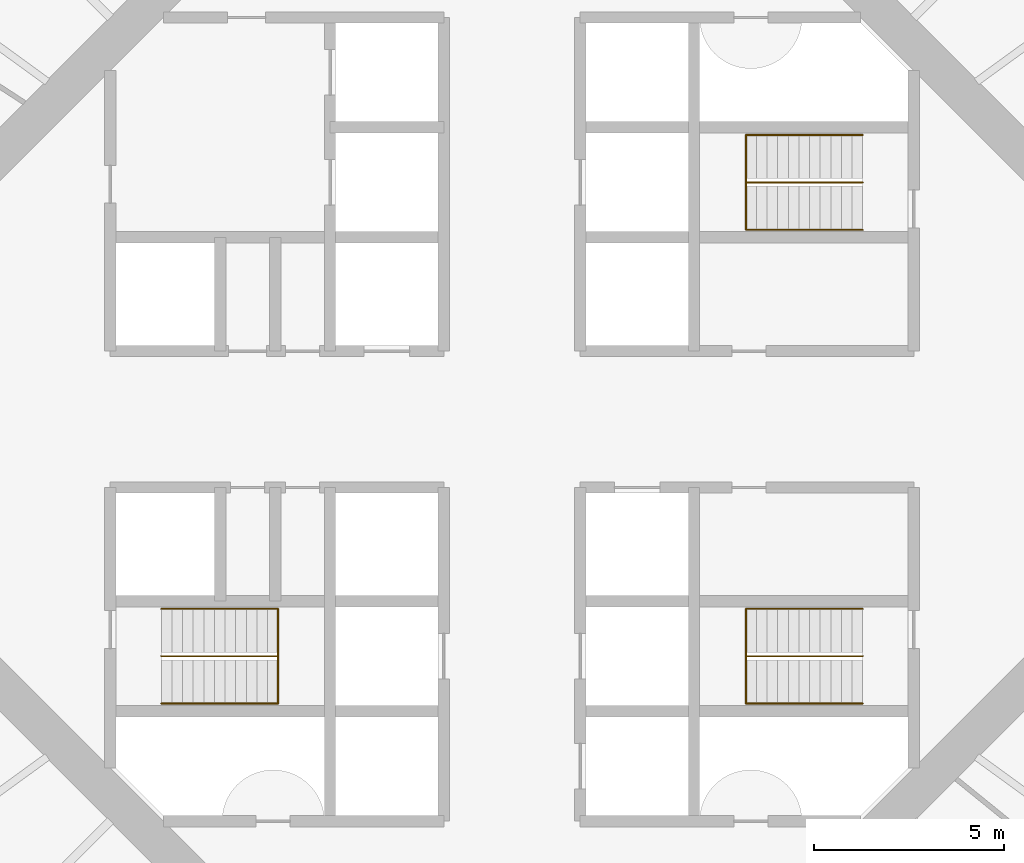
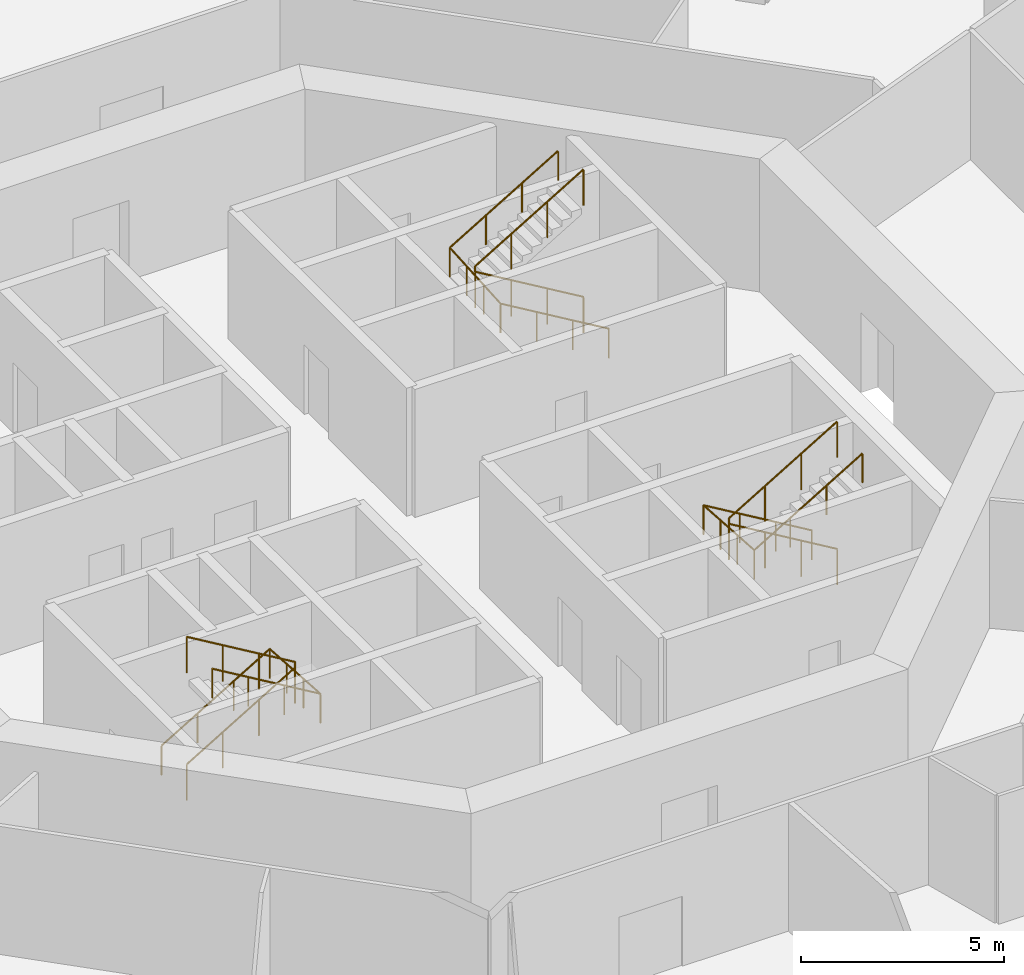
# One storey, part 13 of 13: 6 railings.
"""IFC4 building model written with IfcOpenShell, lengths in metres."""

from ifc_helpers import new_model, si_unit, direction, frame, origin, origin_2d, place, context, subcontext, project, spatial, circle, extrude, material, type_object, element, save


model = new_model("IFC4")

# Units and contexts
model_context = context("Model", 3, precision=1e-05, world=origin(), true_north=direction((0.0, 1.0)))
body_context = subcontext(model_context, "Body", "Model", "MODEL_VIEW")
ifc_project = project(units=[si_unit("LENGTHUNIT", "METRE"), si_unit("AREAUNIT", "SQUARE_METRE"), si_unit("VOLUMEUNIT", "CUBIC_METRE"), si_unit("PLANEANGLEUNIT", "RADIAN"), si_unit("MASSUNIT", "GRAM", prefix="KILO")], contexts=[model_context])

# Site, building, storey
site_placement = place(None, origin())
site = spatial("IfcSite", under=ifc_project, at=site_placement, CompositionType="ELEMENT")
building_placement = place(site_placement, origin())
building = spatial("IfcBuilding", under=site, at=building_placement, Name="Entoto Ring Tower", CompositionType="ELEMENT")
storey_placement = place(building_placement, frame((0.0, 0.0, 184.0)))
storey = spatial("IfcBuildingStorey", under=building, at=storey_placement, Name="L42", CompositionType="ELEMENT", Elevation=184.0)

# Railings
ifc_material_1 = material(Name="Steel S275", Category="steel")
railing_type_1 = type_object("IfcRailingType", Name="Stair guard 1100 mm steel", PredefinedType="GUARDRAIL", material=ifc_material_1)
railing_1_placement = place(storey_placement, frame((99.25, 86.25, 0.166748046875)))
element("IfcRailing", 1, at=railing_1_placement, inside=storey, type_object=railing_type_1, Name="Guard ST1", PredefinedType="GUARDRAIL", context=body_context, shape_type="SweptSolid", body=[
    extrude(circle(Radius=0.02392578125, at=origin_2d()), frame((0.0, 0.0, 1.076171875), z_axis=(-0.859308565015, 0.0, 0.511457515432), x_axis=(0.0, -1.0, 0.0)), (0.0, 0.0, 1.0), 3.58447265625),
    extrude(circle(Radius=0.02392578125, at=origin_2d()), frame((-3.080078125, 0.0, 2.9091796875), z_axis=(0.0, 0.0, 1.0), x_axis=(1.0, 0.0, 0.0)), (0.0, 0.0, 1.0), 0.166748046875),
    extrude(circle(Radius=0.02392578125, at=origin_2d()), frame((-3.080078125, 0.0, 3.076171875), z_axis=(0.859308565015, 0.0, 0.511457515432), x_axis=(0.0, 1.0, 0.0)), (0.0, 0.0, 1.0), 3.58447265625),
    extrude(circle(Radius=0.02099609375, at=origin_2d()), origin(), (0.0, 0.0, 1.0), 1.052001953125),
    extrude(circle(Radius=0.02099609375, at=origin_2d()), frame((-1.026611328125, 0.0, 0.611083984375)), (0.0, 0.0, 1.0), 1.052001953125),
    extrude(circle(Radius=0.02099609375, at=origin_2d()), frame((-2.053466796875, 0.0, 1.22216796875)), (0.0, 0.0, 1.0), 1.052001953125),
    extrude(circle(Radius=0.02099609375, at=origin_2d()), frame((-3.080078125, 0.0, 1.833251953125)), (0.0, 0.0, 1.0), 1.052001953125),
    extrude(circle(Radius=0.02099609375, at=origin_2d()), frame((-3.080078125, 0.0, 2.0)), (0.0, 0.0, 1.0), 1.052001953125),
    extrude(circle(Radius=0.02099609375, at=origin_2d()), frame((-2.053466796875, 0.0, 2.611083984375)), (0.0, 0.0, 1.0), 1.052001953125),
    extrude(circle(Radius=0.02099609375, at=origin_2d()), frame((-1.026611328125, 0.0, 3.22216796875)), (0.0, 0.0, 1.0), 1.052001953125),
    extrude(circle(Radius=0.02099609375, at=origin_2d()), frame((0.0, 0.0, 3.833251953125)), (0.0, 0.0, 1.0), 1.052001953125),
])
railing_2_placement = place(storey_placement, frame((80.75, 73.75, 0.166748046875)))
element("IfcRailing", 2, at=railing_2_placement, inside=storey, type_object=railing_type_1, Name="Guard ST2", PredefinedType="GUARDRAIL", context=body_context, shape_type="SweptSolid", body=[
    extrude(circle(Radius=0.02392578125, at=origin_2d()), frame((0.0, 0.0, 1.076171875), z_axis=(0.859308565015, 0.0, 0.511457515432), x_axis=(0.0, 1.0, 0.0)), (0.0, 0.0, 1.0), 3.58447265625),
    extrude(circle(Radius=0.02392578125, at=origin_2d()), frame((3.080078125, 0.0, 2.9091796875), z_axis=(0.0, 0.0, 1.0), x_axis=(1.0, 0.0, 0.0)), (0.0, 0.0, 1.0), 0.166748046875),
    extrude(circle(Radius=0.02392578125, at=origin_2d()), frame((3.080078125, 0.0, 3.076171875), z_axis=(-0.859308565015, 0.0, 0.511457515432), x_axis=(0.0, -1.0, 0.0)), (0.0, 0.0, 1.0), 3.58447265625),
    extrude(circle(Radius=0.02099609375, at=origin_2d()), origin(), (0.0, 0.0, 1.0), 1.052001953125),
    extrude(circle(Radius=0.02099609375, at=origin_2d()), frame((1.026611328125, 0.0, 0.611083984375)), (0.0, 0.0, 1.0), 1.052001953125),
    extrude(circle(Radius=0.02099609375, at=origin_2d()), frame((2.053466796875, 0.0, 1.22216796875)), (0.0, 0.0, 1.0), 1.052001953125),
    extrude(circle(Radius=0.02099609375, at=origin_2d()), frame((3.080078125, 0.0, 1.833251953125)), (0.0, 0.0, 1.0), 1.052001953125),
    extrude(circle(Radius=0.02099609375, at=origin_2d()), frame((3.080078125, 0.0, 2.0)), (0.0, 0.0, 1.0), 1.052001953125),
    extrude(circle(Radius=0.02099609375, at=origin_2d()), frame((2.053466796875, 0.0, 2.611083984375)), (0.0, 0.0, 1.0), 1.052001953125),
    extrude(circle(Radius=0.02099609375, at=origin_2d()), frame((1.026611328125, 0.0, 3.22216796875)), (0.0, 0.0, 1.0), 1.052001953125),
    extrude(circle(Radius=0.02099609375, at=origin_2d()), frame((0.0, 0.0, 3.833251953125)), (0.0, 0.0, 1.0), 1.052001953125),
])
railing_3_placement = place(storey_placement, frame((99.25, 73.75, 0.166748046875)))
element("IfcRailing", 3, at=railing_3_placement, inside=storey, type_object=railing_type_1, Name="Guard ST3", PredefinedType="GUARDRAIL", context=body_context, shape_type="SweptSolid", body=[
    extrude(circle(Radius=0.02392578125, at=origin_2d()), frame((0.0, 0.0, 1.076171875), z_axis=(-0.859308565015, 0.0, 0.511457515432), x_axis=(0.0, -1.0, 0.0)), (0.0, 0.0, 1.0), 3.58447265625),
    extrude(circle(Radius=0.02392578125, at=origin_2d()), frame((-3.080078125, 0.0, 2.9091796875), z_axis=(0.0, 0.0, 1.0), x_axis=(1.0, 0.0, 0.0)), (0.0, 0.0, 1.0), 0.166748046875),
    extrude(circle(Radius=0.02392578125, at=origin_2d()), frame((-3.080078125, 0.0, 3.076171875), z_axis=(0.859308565015, 0.0, 0.511457515432), x_axis=(0.0, 1.0, 0.0)), (0.0, 0.0, 1.0), 3.58447265625),
    extrude(circle(Radius=0.02099609375, at=origin_2d()), origin(), (0.0, 0.0, 1.0), 1.052001953125),
    extrude(circle(Radius=0.02099609375, at=origin_2d()), frame((-1.026611328125, 0.0, 0.611083984375)), (0.0, 0.0, 1.0), 1.052001953125),
    extrude(circle(Radius=0.02099609375, at=origin_2d()), frame((-2.053466796875, 0.0, 1.22216796875)), (0.0, 0.0, 1.0), 1.052001953125),
    extrude(circle(Radius=0.02099609375, at=origin_2d()), frame((-3.080078125, 0.0, 1.833251953125)), (0.0, 0.0, 1.0), 1.052001953125),
    extrude(circle(Radius=0.02099609375, at=origin_2d()), frame((-3.080078125, 0.0, 2.0)), (0.0, 0.0, 1.0), 1.052001953125),
    extrude(circle(Radius=0.02099609375, at=origin_2d()), frame((-2.053466796875, 0.0, 2.611083984375)), (0.0, 0.0, 1.0), 1.052001953125),
    extrude(circle(Radius=0.02099609375, at=origin_2d()), frame((-1.026611328125, 0.0, 3.22216796875)), (0.0, 0.0, 1.0), 1.052001953125),
    extrude(circle(Radius=0.02099609375, at=origin_2d()), frame((0.0, 0.0, 3.833251953125)), (0.0, 0.0, 1.0), 1.052001953125),
])
ifc_material_2 = material(Name="Steel S275", Category="steel")
railing_type_2 = type_object("IfcRailingType", Name="Stair handrail 900 mm steel", PredefinedType="HANDRAIL", material=ifc_material_2)
railing_4_placement = place(storey_placement, frame((99.25, 85.0, 0.166748046875)))
element("IfcRailing", 4, at=railing_4_placement, inside=storey, type_object=railing_type_2, Name="Handrail ST1", PredefinedType="HANDRAIL", context=body_context, shape_type="SweptSolid", body=[
    extrude(circle(Radius=0.02392578125, at=origin_2d()), frame((0.0, 0.0, 0.8759765625), z_axis=(-0.859308565015, 0.0, 0.511457515432), x_axis=(0.0, -1.0, 0.0)), (0.0, 0.0, 1.0), 3.58447265625),
    extrude(circle(Radius=0.02392578125, at=origin_2d()), frame((-3.080078125, 0.0, 2.708984375), z_axis=(0.0, 0.997783001586, 0.066551346688), x_axis=(-1.0, 0.0, 0.0)), (0.0, 0.0, 1.0), 2.505615234375),
    extrude(circle(Radius=0.02392578125, at=origin_2d()), frame((-3.080078125, 2.5, 2.8759765625), z_axis=(0.859308565015, 0.0, 0.511457515432), x_axis=(0.0, 1.0, 0.0)), (0.0, 0.0, 1.0), 3.58447265625),
    extrude(circle(Radius=0.02099609375, at=origin_2d()), origin(), (0.0, 0.0, 1.0), 0.851806640625),
    extrude(circle(Radius=0.02099609375, at=origin_2d()), frame((-1.026611328125, 0.0, 0.611083984375)), (0.0, 0.0, 1.0), 0.851806640625),
    extrude(circle(Radius=0.02099609375, at=origin_2d()), frame((-2.053466796875, 0.0, 1.22216796875)), (0.0, 0.0, 1.0), 0.851806640625),
    extrude(circle(Radius=0.02099609375, at=origin_2d()), frame((-3.080078125, 0.0, 1.833251953125)), (0.0, 0.0, 1.0), 0.851806640625),
    extrude(circle(Radius=0.02099609375, at=origin_2d()), frame((-3.080078125, 0.833251953125, 1.888916015625)), (0.0, 0.0, 1.0), 0.851806640625),
    extrude(circle(Radius=0.02099609375, at=origin_2d()), frame((-3.080078125, 1.666748046875, 1.9443359375)), (0.0, 0.0, 1.0), 0.851806640625),
    extrude(circle(Radius=0.02099609375, at=origin_2d()), frame((-3.080078125, 2.5, 2.0)), (0.0, 0.0, 1.0), 0.851806640625),
    extrude(circle(Radius=0.02099609375, at=origin_2d()), frame((-2.053466796875, 2.5, 2.611083984375)), (0.0, 0.0, 1.0), 0.851806640625),
    extrude(circle(Radius=0.02099609375, at=origin_2d()), frame((-1.026611328125, 2.5, 3.22216796875)), (0.0, 0.0, 1.0), 0.851806640625),
    extrude(circle(Radius=0.02099609375, at=origin_2d()), frame((0.0, 2.5, 3.833251953125)), (0.0, 0.0, 1.0), 0.851806640625),
])
railing_5_placement = place(storey_placement, frame((80.75, 75.0, 0.166748046875)))
element("IfcRailing", 5, at=railing_5_placement, inside=storey, type_object=railing_type_2, Name="Handrail ST2", PredefinedType="HANDRAIL", context=body_context, shape_type="SweptSolid", body=[
    extrude(circle(Radius=0.02392578125, at=origin_2d()), frame((0.0, 0.0, 0.8759765625), z_axis=(0.859308565015, 0.0, 0.511457515432), x_axis=(0.0, 1.0, 0.0)), (0.0, 0.0, 1.0), 3.58447265625),
    extrude(circle(Radius=0.02392578125, at=origin_2d()), frame((3.080078125, 0.0, 2.708984375), z_axis=(0.0, -0.997783001586, 0.066551346688), x_axis=(1.0, 0.0, 0.0)), (0.0, 0.0, 1.0), 2.505615234375),
    extrude(circle(Radius=0.02392578125, at=origin_2d()), frame((3.080078125, -2.5, 2.8759765625), z_axis=(-0.859308565015, 0.0, 0.511457515432), x_axis=(0.0, -1.0, 0.0)), (0.0, 0.0, 1.0), 3.58447265625),
    extrude(circle(Radius=0.02099609375, at=origin_2d()), origin(), (0.0, 0.0, 1.0), 0.851806640625),
    extrude(circle(Radius=0.02099609375, at=origin_2d()), frame((1.026611328125, 0.0, 0.611083984375)), (0.0, 0.0, 1.0), 0.851806640625),
    extrude(circle(Radius=0.02099609375, at=origin_2d()), frame((2.053466796875, 0.0, 1.22216796875)), (0.0, 0.0, 1.0), 0.851806640625),
    extrude(circle(Radius=0.02099609375, at=origin_2d()), frame((3.080078125, 0.0, 1.833251953125)), (0.0, 0.0, 1.0), 0.851806640625),
    extrude(circle(Radius=0.02099609375, at=origin_2d()), frame((3.080078125, -0.833251953125, 1.888916015625)), (0.0, 0.0, 1.0), 0.851806640625),
    extrude(circle(Radius=0.02099609375, at=origin_2d()), frame((3.080078125, -1.666748046875, 1.9443359375)), (0.0, 0.0, 1.0), 0.851806640625),
    extrude(circle(Radius=0.02099609375, at=origin_2d()), frame((3.080078125, -2.5, 2.0)), (0.0, 0.0, 1.0), 0.851806640625),
    extrude(circle(Radius=0.02099609375, at=origin_2d()), frame((2.053466796875, -2.5, 2.611083984375)), (0.0, 0.0, 1.0), 0.851806640625),
    extrude(circle(Radius=0.02099609375, at=origin_2d()), frame((1.026611328125, -2.5, 3.22216796875)), (0.0, 0.0, 1.0), 0.851806640625),
    extrude(circle(Radius=0.02099609375, at=origin_2d()), frame((0.0, -2.5, 3.833251953125)), (0.0, 0.0, 1.0), 0.851806640625),
])
railing_6_placement = place(storey_placement, frame((99.25, 75.0, 0.166748046875)))
element("IfcRailing", 6, at=railing_6_placement, inside=storey, type_object=railing_type_2, Name="Handrail ST3", PredefinedType="HANDRAIL", context=body_context, shape_type="SweptSolid", body=[
    extrude(circle(Radius=0.02392578125, at=origin_2d()), frame((0.0, 0.0, 0.8759765625), z_axis=(-0.859308565015, 0.0, 0.511457515432), x_axis=(0.0, -1.0, 0.0)), (0.0, 0.0, 1.0), 3.58447265625),
    extrude(circle(Radius=0.02392578125, at=origin_2d()), frame((-3.080078125, 0.0, 2.708984375), z_axis=(0.0, -0.997783001586, 0.066551346688), x_axis=(1.0, 0.0, 0.0)), (0.0, 0.0, 1.0), 2.505615234375),
    extrude(circle(Radius=0.02392578125, at=origin_2d()), frame((-3.080078125, -2.5, 2.8759765625), z_axis=(0.859308565015, 0.0, 0.511457515432), x_axis=(0.0, 1.0, 0.0)), (0.0, 0.0, 1.0), 3.58447265625),
    extrude(circle(Radius=0.02099609375, at=origin_2d()), origin(), (0.0, 0.0, 1.0), 0.851806640625),
    extrude(circle(Radius=0.02099609375, at=origin_2d()), frame((-1.026611328125, 0.0, 0.611083984375)), (0.0, 0.0, 1.0), 0.851806640625),
    extrude(circle(Radius=0.02099609375, at=origin_2d()), frame((-2.053466796875, 0.0, 1.22216796875)), (0.0, 0.0, 1.0), 0.851806640625),
    extrude(circle(Radius=0.02099609375, at=origin_2d()), frame((-3.080078125, 0.0, 1.833251953125)), (0.0, 0.0, 1.0), 0.851806640625),
    extrude(circle(Radius=0.02099609375, at=origin_2d()), frame((-3.080078125, -0.833251953125, 1.888916015625)), (0.0, 0.0, 1.0), 0.851806640625),
    extrude(circle(Radius=0.02099609375, at=origin_2d()), frame((-3.080078125, -1.666748046875, 1.9443359375)), (0.0, 0.0, 1.0), 0.851806640625),
    extrude(circle(Radius=0.02099609375, at=origin_2d()), frame((-3.080078125, -2.5, 2.0)), (0.0, 0.0, 1.0), 0.851806640625),
    extrude(circle(Radius=0.02099609375, at=origin_2d()), frame((-2.053466796875, -2.5, 2.611083984375)), (0.0, 0.0, 1.0), 0.851806640625),
    extrude(circle(Radius=0.02099609375, at=origin_2d()), frame((-1.026611328125, -2.5, 3.22216796875)), (0.0, 0.0, 1.0), 0.851806640625),
    extrude(circle(Radius=0.02099609375, at=origin_2d()), frame((0.0, -2.5, 3.833251953125)), (0.0, 0.0, 1.0), 0.851806640625),
])

save(model, "model.ifc")
